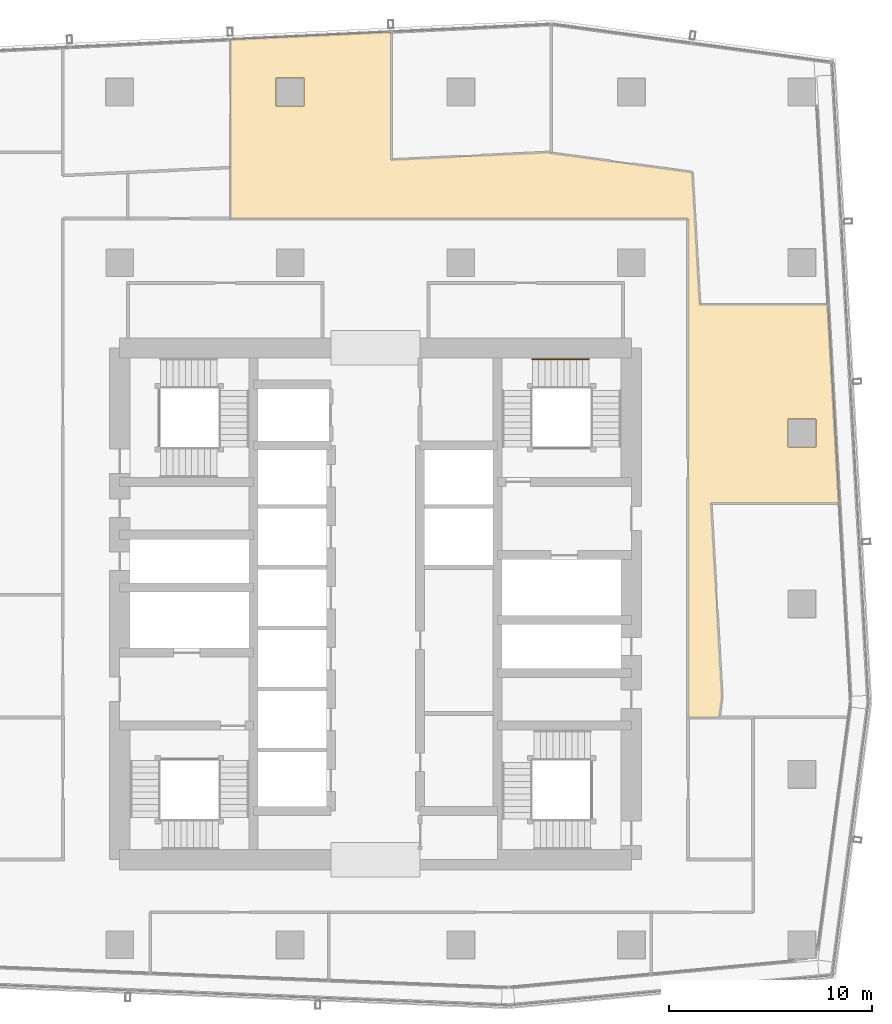
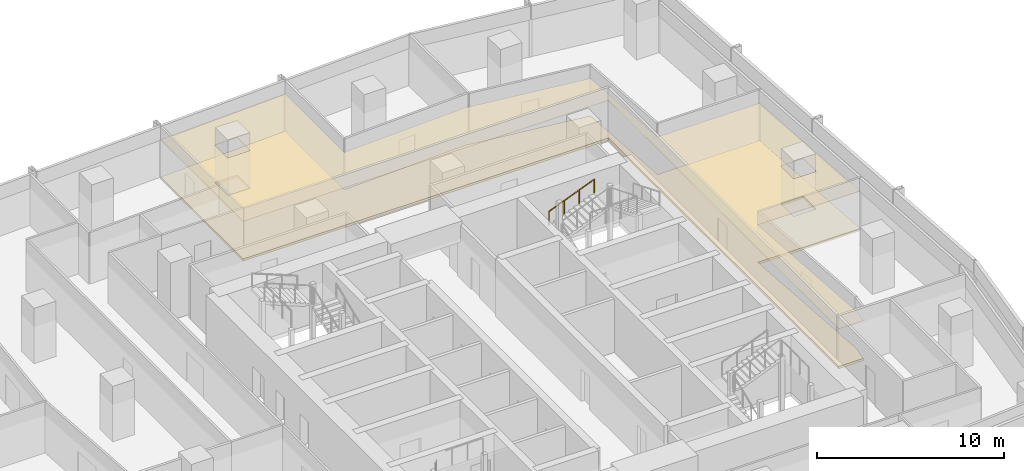
# One storey, part 37 of 39: 2 coverings, 1 railing.
"""IFC4 building model written with IfcOpenShell, lengths in metres."""

from ifc_helpers import new_model, si_unit, direction, frame, origin, origin_2d, place, context, subcontext, project, spatial, polyline, circle, outline, extrude, material, layer, layer_set, type_object, element, save


model = new_model("IFC4")

# Units and contexts
model_context = context("Model", 3, precision=1e-05, world=origin(), true_north=direction((0.0, 1.0)))
body_context = subcontext(model_context, "Body", "Model", "MODEL_VIEW")
ifc_project = project(units=[si_unit("LENGTHUNIT", "METRE"), si_unit("AREAUNIT", "SQUARE_METRE"), si_unit("VOLUMEUNIT", "CUBIC_METRE"), si_unit("PLANEANGLEUNIT", "RADIAN"), si_unit("MASSUNIT", "GRAM", prefix="KILO")], contexts=[model_context])

# Site, building, storey
site_placement = place(None, origin())
site = spatial("IfcSite", under=ifc_project, at=site_placement, CompositionType="ELEMENT")
building_placement = place(site_placement, origin())
building = spatial("IfcBuilding", under=site, at=building_placement, Name="Rekha Terrace Tower", CompositionType="ELEMENT")
storey_placement = place(building_placement, frame((0.0, 0.0, 217.699951171875)))
storey = spatial("IfcBuildingStorey", under=building, at=storey_placement, Name="L55", CompositionType="ELEMENT", Elevation=217.699951171875)

# Covering
ifc_material_1 = material(Name="Mineral fibre tile in exposed grid", Category="finish")
ifc_layer_1 = layer(ifc_material_1, 0.02001953125)
ifc_layer_set_1 = layer_set([ifc_layer_1], Name="Mineral fibre tile in exposed grid")
covering_type_1 = type_object("IfcCoveringType", Name="CL1 600x1200 office grid ceiling", PredefinedType="CEILING", material=ifc_layer_set_1)
covering_1_placement = place(storey_placement, frame((0.0, 0.0, 2.580078125)))
element("IfcCovering", 1, at=covering_1_placement, inside=storey, type_object=covering_type_1, Name="Ceiling L55-O1", PredefinedType="CEILING", context=body_context, shape_type="SweptSolid", body=[
    extrude(outline(polyline([(46.201904296875, 55.8291015625), (38.571044921875, 55.464111328125), (38.571044921875, 61.77099609375), (30.660888671875, 61.39306640625), (30.660888671875, 52.574951171875), (53.199951171875, 52.574951171875), (53.199951171875, 28.0), (54.72705078125, 28.0), (54.72900390625, 28.014892578125), (54.862060546875, 29.01708984375), (54.321044921875, 38.554931640625), (60.631103515625, 38.554931640625), (60.075927734375, 48.33203125), (53.76611328125, 48.33203125), (53.39599609375, 54.85009765625), (46.444091796875, 55.7958984375), (46.201904296875, 55.8291015625)]), holes=[polyline([(59.489990234375, 41.31005859375), (58.110107421875, 41.31005859375), (58.110107421875, 42.68994140625), (59.489990234375, 42.68994140625), (59.489990234375, 41.31005859375)]), polyline([(34.2900390625, 58.110107421875), (32.909912109375, 58.110107421875), (32.909912109375, 59.489990234375), (34.2900390625, 59.489990234375), (34.2900390625, 58.110107421875)])]), origin(), (0.0, 0.0, 1.0), 0.02001953125),
])

# Railing
ifc_material_2 = material(Name="Stainless steel tube", Category="steel")
railing_type = type_object("IfcRailingType", Name="HR1 900 stair handrail", PredefinedType="HANDRAIL", material=ifc_material_2)
railing_placement = place(storey_placement, frame((45.52490234375, 45.639892578125, 1.375)))
element("IfcRailing", 2, at=railing_placement, inside=storey, type_object=railing_type, Name="Handrail ST2 L55 flight 2", PredefinedType="HANDRAIL", context=body_context, shape_type="SweptSolid", body=[
    extrude(circle(Radius=0.02392578125, at=origin_2d()), frame((0.0, 0.0, 0.8759765625), z_axis=(0.927443287984, 0.0, 0.373963831907), x_axis=(0.0, 1.0, 0.0)), (0.0, 0.0, 1.0), 3.00830078125),
    extrude(circle(Radius=0.02099609375, at=origin_2d()), origin(), (0.0, 0.0, 1.0), 0.851806640625),
    extrude(circle(Radius=0.02099609375, at=origin_2d()), frame((0.929931640625, 0.0, 0.375)), (0.0, 0.0, 1.0), 0.851806640625),
    extrude(circle(Radius=0.02099609375, at=origin_2d()), frame((1.860107421875, 0.0, 0.75)), (0.0, 0.0, 1.0), 0.851806640625),
    extrude(circle(Radius=0.02099609375, at=origin_2d()), frame((2.7900390625, 0.0, 1.125)), (0.0, 0.0, 1.0), 0.851806640625),
])

# Covering
ifc_material_3 = material(Name="Calcium sulphate panels on steel pedestals", Category="steel")
ifc_layer_2 = layer(ifc_material_3, 0.14990234375)
ifc_layer_set_2 = layer_set([ifc_layer_2], Name="Calcium sulphate panels on steel pedestals")
covering_type_2 = type_object("IfcCoveringType", Name="RF1 150 raised access floor", PredefinedType="FLOORING", material=ifc_layer_set_2)
covering_2_placement = place(storey_placement, origin())
element("IfcCovering", 3, at=covering_2_placement, inside=storey, type_object=covering_type_2, Name="Raised floor L55-O1", PredefinedType="FLOORING", context=body_context, shape_type="SweptSolid", body=[
    extrude(outline(polyline([(46.201904296875, 55.8291015625), (38.571044921875, 55.464111328125), (38.571044921875, 61.77099609375), (30.660888671875, 61.39306640625), (30.660888671875, 52.574951171875), (53.199951171875, 52.574951171875), (53.199951171875, 28.0), (54.72705078125, 28.0), (54.72900390625, 28.014892578125), (54.862060546875, 29.01708984375), (54.321044921875, 38.554931640625), (60.631103515625, 38.554931640625), (60.075927734375, 48.33203125), (53.76611328125, 48.33203125), (53.39599609375, 54.85009765625), (46.444091796875, 55.7958984375), (46.201904296875, 55.8291015625)]), holes=[polyline([(59.489990234375, 41.31005859375), (58.110107421875, 41.31005859375), (58.110107421875, 42.68994140625), (59.489990234375, 42.68994140625), (59.489990234375, 41.31005859375)]), polyline([(34.2900390625, 58.110107421875), (32.909912109375, 58.110107421875), (32.909912109375, 59.489990234375), (34.2900390625, 59.489990234375), (34.2900390625, 58.110107421875)])]), origin(), (0.0, 0.0, 1.0), 0.150146484375),
])

save(model, "model.ifc")
